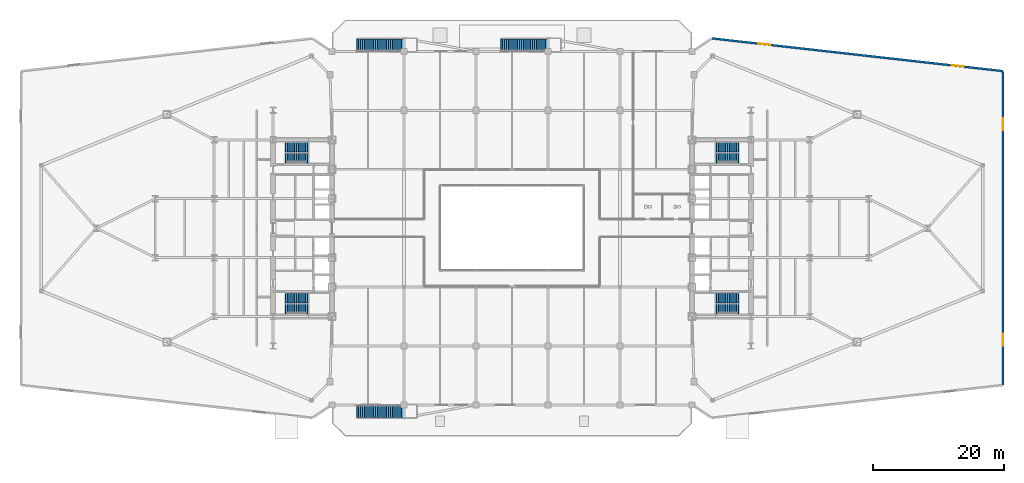
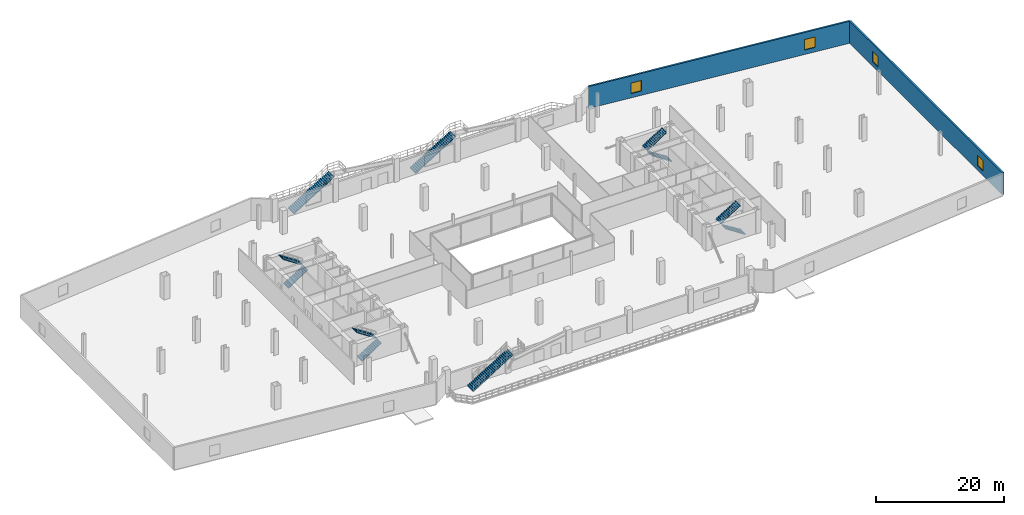
# One storey, part 20 of 25: 11 stair flights, 4 windows, 2 walls, 4 openings, 7 elements without a shape of their own.
"""IFC4 building model written with IfcOpenShell, lengths in metres."""

from ifc_helpers import new_model, si_unit, direction, frame, frame_2d, origin, place, context, subcontext, project, spatial, polyline, rectangle, outline, extrude, source, transform, mapped, material, layer, layer_set, type_object, type_shapes, element, fill, aggregate, save


model = new_model("IFC4")

# Units and contexts
model_context = context("Model", 3, precision=1e-05, world=origin(), true_north=direction((0.0, 1.0)))
body_context = subcontext(model_context, "Body", "Model", "MODEL_VIEW")
ifc_project = project(units=[si_unit("LENGTHUNIT", "METRE"), si_unit("AREAUNIT", "SQUARE_METRE"), si_unit("VOLUMEUNIT", "CUBIC_METRE"), si_unit("PLANEANGLEUNIT", "RADIAN"), si_unit("MASSUNIT", "GRAM", prefix="KILO")], contexts=[model_context])

# Site, building, storey
site_placement = place(None, origin())
site = spatial("IfcSite", under=ifc_project, at=site_placement, CompositionType="ELEMENT")
building_placement = place(site_placement, origin())
building = spatial("IfcBuilding", under=site, at=building_placement, Name="Seokmaru Belvedere", CompositionType="ELEMENT")
storey_placement = place(building_placement, frame((0.0, 0.0, 5.39990234375)))
storey = spatial("IfcBuildingStorey", under=building, at=storey_placement, Name="L01", CompositionType="ELEMENT", Elevation=5.39990234375)

# Wall, openings, windows
ifc_material_1 = material(Name="Concrete C40 (40 MPa)", Category="concrete")
ifc_layer = layer(ifc_material_1, 0.320068359375)
ifc_layer_set = layer_set([ifc_layer], Name="Concrete C40 (40 MPa)")
wall_type = type_object("IfcWallType", Name="Podium Terrace Insulated Wall 320", PredefinedType="SOLIDWALL", material=ifc_layer_set)
wall_1_placement = place(storey_placement, frame((75.0, -23.9599609375, 0.0), z_axis=(0.0, 0.0, 1.0), x_axis=(0.0, 1.0, 0.0)))
wall_1 = element("IfcWall", 1, at=wall_1_placement, inside=storey, type_object=wall_type, Name="L01 Exterior Podium Wall 06", PredefinedType="SOLIDWALL", context=body_context, shape_type="SweptSolid", body=[
    extrude(rectangle(XDim=47.919921875, YDim=0.320068359375, at=frame_2d((23.9599609375, 0.0))), origin(), (0.0, 0.0, 1.0), 4.22021484375),
])
opening_1_placement = place(wall_1_placement, frame((6.0, 0.0, 0.85009765625)))
opening_1 = element("IfcOpeningElement", 2, at=opening_1_placement, cuts=wall_1, Name="Opening WN2", PredefinedType="OPENING", context=body_context, shape_type="SweptSolid", body=[
    extrude(rectangle(XDim=1.800048828125, YDim=2.0, at=frame_2d((0.89990234375, 1.0))), frame((0.0, 0.169921875, 0.0), z_axis=(0.0, -1.0, 0.0), x_axis=(1.0, 0.0, 0.0)), (0.0, 0.0, 1.0), 0.340087890625),
])
opening_2_placement = place(wall_1_placement, frame((38.919921875, 0.0, 0.85009765625)))
opening_2 = element("IfcOpeningElement", 3, at=opening_2_placement, cuts=wall_1, Name="Opening WN2", PredefinedType="OPENING", context=body_context, shape_type="SweptSolid", body=[
    extrude(rectangle(XDim=1.800048828125, YDim=2.0, at=frame_2d((0.89990234375, 1.0))), frame((0.0, 0.169921875, 0.0), z_axis=(0.0, -1.0, 0.0), x_axis=(1.0, 0.0, 0.0)), (0.0, 0.0, 1.0), 0.340087890625),
])
ifc_material_2 = material(Name="Bronze Triple Insulating Glass", Category="glass")
window_type = type_object("IfcWindowType", Name="Podium Gallery Window 1800x2000", PartitioningType="SINGLE_PANEL", PredefinedType="WINDOW", material=ifc_material_2)
shared_shape = source(origin(), body_context, "Body", "SweptSolid", [
    extrude(rectangle(XDim=1.800048828125, YDim=2.0, at=frame_2d((0.89990234375, 1.0))), frame((0.0, 0.030029296875, 0.0), z_axis=(0.0, -1.0, 0.0), x_axis=(1.0, 0.0, 0.0)), (0.0, 0.0, 1.0), 0.06005859375),
])
type_shapes(window_type, [shared_shape])
window_1_placement = place(opening_1_placement, origin())
window_1 = element("IfcWindow", 4, at=window_1_placement, inside=storey, type_object=window_type, Name="L01 Podium Gallery Window 5-1", OverallHeight=2.0, OverallWidth=1.800048828125, PartitioningType="SINGLE_PANEL", PredefinedType="WINDOW", context=body_context, shape_type="MappedRepresentation", body=[
    mapped(shared_shape, transform((0.0, 0.0, 0.0), scale=1.0)),
])
fill(opening_1, window_1)
window_2_placement = place(opening_2_placement, origin())
window_2 = element("IfcWindow", 5, at=window_2_placement, inside=storey, type_object=window_type, Name="L01 Podium Gallery Window 5-2", OverallHeight=2.0, OverallWidth=1.800048828125, PartitioningType="SINGLE_PANEL", PredefinedType="WINDOW", context=body_context, shape_type="MappedRepresentation", body=[
    mapped(shared_shape, transform((0.0, 0.0, 0.0), scale=1.0)),
])
fill(opening_2, window_2)

wall_2_placement = place(storey_placement, frame((74.960205078125, 24.00439453125, 0.0), z_axis=(0.0, 0.0, 1.0), x_axis=(-0.993746430789, 0.111660338952, 0.0)))
wall_2 = element("IfcWall", 6, at=wall_2_placement, inside=storey, type_object=wall_type, Name="L01 Exterior Podium Wall 07", PredefinedType="SOLIDWALL", context=body_context, shape_type="SweptSolid", body=[
    extrude(rectangle(XDim=44.699951171875, YDim=0.320068359375, at=frame_2d((22.35009765625, 0.0))), origin(), (0.0, 0.0, 1.0), 4.22021484375),
])
opening_3_placement = place(wall_2_placement, frame((6.0, 0.0, 0.85009765625)))
opening_3 = element("IfcOpeningElement", 7, at=opening_3_placement, cuts=wall_2, Name="Opening WN2", PredefinedType="OPENING", context=body_context, shape_type="SweptSolid", body=[
    extrude(rectangle(XDim=1.800048828125, YDim=2.0, at=frame_2d((0.89990234375, 1.0))), frame((0.0, 0.169921875, 0.0), z_axis=(0.0, -1.0, 0.0), x_axis=(1.0, 0.0, 0.0)), (0.0, 0.0, 1.0), 0.340087890625),
])
opening_4_placement = place(wall_2_placement, frame((35.699951171875, 0.0, 0.85009765625)))
opening_4 = element("IfcOpeningElement", 8, at=opening_4_placement, cuts=wall_2, Name="Opening WN2", PredefinedType="OPENING", context=body_context, shape_type="SweptSolid", body=[
    extrude(rectangle(XDim=1.800048828125, YDim=2.0, at=frame_2d((0.89990234375, 1.0))), frame((0.0, 0.169921875, 0.0), z_axis=(0.0, -1.0, 0.0), x_axis=(1.0, 0.0, 0.0)), (0.0, 0.0, 1.0), 0.340087890625),
])
window_3_placement = place(opening_3_placement, origin())
window_3 = element("IfcWindow", 9, at=window_3_placement, inside=storey, type_object=window_type, Name="L01 Podium Gallery Window 6-1", OverallHeight=2.0, OverallWidth=1.800048828125, PartitioningType="SINGLE_PANEL", PredefinedType="WINDOW", context=body_context, shape_type="MappedRepresentation", body=[
    mapped(shared_shape, transform((0.0, 0.0, 0.0), scale=1.0)),
])
fill(opening_3, window_3)
window_4_placement = place(opening_4_placement, origin())
window_4 = element("IfcWindow", 10, at=window_4_placement, inside=storey, type_object=window_type, Name="L01 Podium Gallery Window 6-2", OverallHeight=2.0, OverallWidth=1.800048828125, PartitioningType="SINGLE_PANEL", PredefinedType="WINDOW", context=body_context, shape_type="MappedRepresentation", body=[
    mapped(shared_shape, transform((0.0, 0.0, 0.0), scale=1.0)),
])
fill(opening_4, window_4)

# Stair, stair flight
stair_type_1 = type_object("IfcStairType", Name="Cascading Garden Terrace Feature Straight Stair 1800", PredefinedType="STRAIGHT_RUN_STAIR", material=ifc_material_1)
stair_1_placement = place(storey_placement, origin())
stair_1 = element("IfcStair", 11, at=stair_1_placement, inside=storey, type_object=stair_type_1, Name="L01 Cascading Terrace Straight Stair N1", PredefinedType="STRAIGHT_RUN_STAIR")
stair_flight_type_1 = type_object("IfcStairFlightType", Name="Feature Architectural Stair Flight 1800", PredefinedType="STRAIGHT", material=ifc_material_1)
stair_flight_1_placement = place(storey_placement, frame((-23.699951171875, 28.02001953125, 0.0), z_axis=(0.0, 0.0, 1.0), x_axis=(1.0, 0.0, 0.0)))
stair_flight_1 = element("IfcStairFlight", 12, at=stair_flight_1_placement, type_object=stair_flight_type_1, Name="ST-T1 flight 1", NumberOfRisers=26, NumberOfTreads=25, PredefinedType="STRAIGHT", RiserHeight=0.173076923, TreadLength=0.285, context=body_context, shape_type="SweptSolid", body=[
    extrude(outline(polyline([(-0.080078125, 0.0), (0.0, 0.173095703125), (0.284912109375, 0.173095703125), (0.284912109375, 0.34619140625), (0.570068359375, 0.34619140625), (0.570068359375, 0.519287109375), (0.85498046875, 0.519287109375), (0.85498046875, 0.6923828125), (1.139892578125, 0.6923828125), (1.139892578125, 0.865478515625), (1.425048828125, 0.865478515625), (1.425048828125, 1.03857421875), (1.7099609375, 1.03857421875), (1.7099609375, 1.21142578125), (1.9951171875, 1.21142578125), (1.9951171875, 1.384521484375), (2.280029296875, 1.384521484375), (2.280029296875, 1.5576171875), (2.56494140625, 1.5576171875), (2.56494140625, 1.730712890625), (2.85009765625, 1.730712890625), (2.85009765625, 1.90380859375), (3.135009765625, 1.90380859375), (3.135009765625, 2.076904296875), (3.419921875, 2.076904296875), (3.419921875, 2.25), (3.705078125, 2.25), (3.705078125, 2.423095703125), (3.989990234375, 2.423095703125), (3.989990234375, 2.59619140625), (4.27490234375, 2.59619140625), (4.27490234375, 2.769287109375), (4.56005859375, 2.769287109375), (4.56005859375, 2.9423828125), (4.844970703125, 2.9423828125), (4.844970703125, 3.115478515625), (5.1298828125, 3.115478515625), (5.1298828125, 3.28857421875), (5.4150390625, 3.28857421875), (5.4150390625, 3.46142578125), (5.699951171875, 3.46142578125), (5.699951171875, 3.634521484375), (5.985107421875, 3.634521484375), (5.985107421875, 3.8076171875), (6.27001953125, 3.8076171875), (6.27001953125, 3.980712890625), (6.554931640625, 3.980712890625), (6.554931640625, 4.15380859375), (6.840087890625, 4.15380859375), (6.840087890625, 4.326904296875), (7.125, 4.326904296875), (7.125, 4.5), (7.205078125, 4.5), (7.205078125, 4.31005859375), (7.125, 4.31005859375), (0.0, -0.159912109375), (-0.080078125, -0.159912109375), (-0.080078125, 0.0)])), frame((0.0, 0.89990234375, 0.0), z_axis=(0.0, -1.0, 0.0), x_axis=(1.0, 0.0, 0.0)), (0.0, 0.0, 1.0), 1.800048828125),
])
aggregate(stair_1, [stair_flight_1])

stair_2_placement = place(storey_placement, origin())
stair_2 = element("IfcStair", 13, at=stair_2_placement, inside=storey, type_object=stair_type_1, Name="L01 Cascading Terrace Straight Stair N2", PredefinedType="STRAIGHT_RUN_STAIR")
stair_flight_2_placement = place(storey_placement, frame((-1.699951171875, 28.02001953125, 0.0), z_axis=(0.0, 0.0, 1.0), x_axis=(1.0, 0.0, 0.0)))
stair_flight_2 = element("IfcStairFlight", 14, at=stair_flight_2_placement, type_object=stair_flight_type_1, Name="ST-T2 flight 1", NumberOfRisers=26, NumberOfTreads=25, PredefinedType="STRAIGHT", RiserHeight=0.173076923, TreadLength=0.285, context=body_context, shape_type="SweptSolid", body=[
    extrude(outline(polyline([(-0.080078125, 0.0), (0.0, 0.173095703125), (0.284912109375, 0.173095703125), (0.284912109375, 0.34619140625), (0.570068359375, 0.34619140625), (0.570068359375, 0.519287109375), (0.85498046875, 0.519287109375), (0.85498046875, 0.6923828125), (1.139892578125, 0.6923828125), (1.139892578125, 0.865478515625), (1.425048828125, 0.865478515625), (1.425048828125, 1.03857421875), (1.7099609375, 1.03857421875), (1.7099609375, 1.21142578125), (1.9951171875, 1.21142578125), (1.9951171875, 1.384521484375), (2.280029296875, 1.384521484375), (2.280029296875, 1.5576171875), (2.56494140625, 1.5576171875), (2.56494140625, 1.730712890625), (2.85009765625, 1.730712890625), (2.85009765625, 1.90380859375), (3.135009765625, 1.90380859375), (3.135009765625, 2.076904296875), (3.419921875, 2.076904296875), (3.419921875, 2.25), (3.705078125, 2.25), (3.705078125, 2.423095703125), (3.989990234375, 2.423095703125), (3.989990234375, 2.59619140625), (4.27490234375, 2.59619140625), (4.27490234375, 2.769287109375), (4.56005859375, 2.769287109375), (4.56005859375, 2.9423828125), (4.844970703125, 2.9423828125), (4.844970703125, 3.115478515625), (5.1298828125, 3.115478515625), (5.1298828125, 3.28857421875), (5.4150390625, 3.28857421875), (5.4150390625, 3.46142578125), (5.699951171875, 3.46142578125), (5.699951171875, 3.634521484375), (5.985107421875, 3.634521484375), (5.985107421875, 3.8076171875), (6.27001953125, 3.8076171875), (6.27001953125, 3.980712890625), (6.554931640625, 3.980712890625), (6.554931640625, 4.15380859375), (6.840087890625, 4.15380859375), (6.840087890625, 4.326904296875), (7.125, 4.326904296875), (7.125, 4.5), (7.205078125, 4.5), (7.205078125, 4.31005859375), (7.125, 4.31005859375), (0.0, -0.159912109375), (-0.080078125, -0.159912109375), (-0.080078125, 0.0)])), frame((0.0, 0.89990234375, 0.0), z_axis=(0.0, -1.0, 0.0), x_axis=(1.0, 0.0, 0.0)), (0.0, 0.0, 1.0), 1.800048828125),
])
aggregate(stair_2, [stair_flight_2])

stair_3_placement = place(storey_placement, origin())
stair_3 = element("IfcStair", 15, at=stair_3_placement, inside=storey, type_object=stair_type_1, Name="L01 Cascading Terrace Straight Stair S1", PredefinedType="STRAIGHT_RUN_STAIR")
stair_flight_3_placement = place(storey_placement, frame((-23.699951171875, -28.02001953125, 0.0), z_axis=(0.0, 0.0, 1.0), x_axis=(1.0, 0.0, 0.0)))
stair_flight_3 = element("IfcStairFlight", 16, at=stair_flight_3_placement, type_object=stair_flight_type_1, Name="ST-T3 flight 1", NumberOfRisers=26, NumberOfTreads=25, PredefinedType="STRAIGHT", RiserHeight=0.173076923, TreadLength=0.285, context=body_context, shape_type="SweptSolid", body=[
    extrude(outline(polyline([(-0.080078125, 0.0), (0.0, 0.173095703125), (0.284912109375, 0.173095703125), (0.284912109375, 0.34619140625), (0.570068359375, 0.34619140625), (0.570068359375, 0.519287109375), (0.85498046875, 0.519287109375), (0.85498046875, 0.6923828125), (1.139892578125, 0.6923828125), (1.139892578125, 0.865478515625), (1.425048828125, 0.865478515625), (1.425048828125, 1.03857421875), (1.7099609375, 1.03857421875), (1.7099609375, 1.21142578125), (1.9951171875, 1.21142578125), (1.9951171875, 1.384521484375), (2.280029296875, 1.384521484375), (2.280029296875, 1.5576171875), (2.56494140625, 1.5576171875), (2.56494140625, 1.730712890625), (2.85009765625, 1.730712890625), (2.85009765625, 1.90380859375), (3.135009765625, 1.90380859375), (3.135009765625, 2.076904296875), (3.419921875, 2.076904296875), (3.419921875, 2.25), (3.705078125, 2.25), (3.705078125, 2.423095703125), (3.989990234375, 2.423095703125), (3.989990234375, 2.59619140625), (4.27490234375, 2.59619140625), (4.27490234375, 2.769287109375), (4.56005859375, 2.769287109375), (4.56005859375, 2.9423828125), (4.844970703125, 2.9423828125), (4.844970703125, 3.115478515625), (5.1298828125, 3.115478515625), (5.1298828125, 3.28857421875), (5.4150390625, 3.28857421875), (5.4150390625, 3.46142578125), (5.699951171875, 3.46142578125), (5.699951171875, 3.634521484375), (5.985107421875, 3.634521484375), (5.985107421875, 3.8076171875), (6.27001953125, 3.8076171875), (6.27001953125, 3.980712890625), (6.554931640625, 3.980712890625), (6.554931640625, 4.15380859375), (6.840087890625, 4.15380859375), (6.840087890625, 4.326904296875), (7.125, 4.326904296875), (7.125, 4.5), (7.205078125, 4.5), (7.205078125, 4.31005859375), (7.125, 4.31005859375), (0.0, -0.159912109375), (-0.080078125, -0.159912109375), (-0.080078125, 0.0)])), frame((0.0, 0.89990234375, 0.0), z_axis=(0.0, -1.0, 0.0), x_axis=(1.0, 0.0, 0.0)), (0.0, 0.0, 1.0), 1.800048828125),
])
aggregate(stair_3, [stair_flight_3])

# Stair, stair flights
stair_type_2 = type_object("IfcStairType", Name="Cascading Podium Core Dog-Leg Stair 4500", PredefinedType="TWO_STRAIGHT_RUN_STAIR", material=ifc_material_1)
stair_4_placement = place(storey_placement, origin())
stair_4 = element("IfcStair", 17, at=stair_4_placement, inside=storey, type_object=stair_type_2, Name="L01 Special Escape Stair ST-W1", PredefinedType="TWO_STRAIGHT_RUN_STAIR")
stair_flight_type_2 = type_object("IfcStairFlightType", Name="Reinforced Concrete Stair Flight 1500", PredefinedType="STRAIGHT", material=ifc_material_1)
stair_flight_4_placement = place(storey_placement, frame((-34.60009765625, -12.35009765625, 0.0), z_axis=(0.0, 0.0, 1.0), x_axis=(1.0, 0.0, 0.0)))
stair_flight_4 = element("IfcStairFlight", 18, at=stair_flight_4_placement, type_object=stair_flight_type_2, Name="ST-W1 flight 1", NumberOfRisers=13, NumberOfTreads=12, PredefinedType="STRAIGHT", RiserHeight=0.173076923, TreadLength=0.28, context=body_context, shape_type="SweptSolid", body=[
    extrude(outline(polyline([(-0.080078125, 0.0), (0.0, 0.173095703125), (0.280029296875, 0.173095703125), (0.280029296875, 0.34619140625), (0.56005859375, 0.34619140625), (0.56005859375, 0.519287109375), (0.840087890625, 0.519287109375), (0.840087890625, 0.6923828125), (1.1201171875, 0.6923828125), (1.1201171875, 0.865478515625), (1.39990234375, 0.865478515625), (1.39990234375, 1.03857421875), (1.679931640625, 1.03857421875), (1.679931640625, 1.21142578125), (1.9599609375, 1.21142578125), (1.9599609375, 1.384521484375), (2.239990234375, 1.384521484375), (2.239990234375, 1.5576171875), (2.52001953125, 1.5576171875), (2.52001953125, 1.730712890625), (2.800048828125, 1.730712890625), (2.800048828125, 1.90380859375), (3.080078125, 1.90380859375), (3.080078125, 2.076904296875), (3.360107421875, 2.076904296875), (3.360107421875, 2.25), (3.43994140625, 2.25), (3.43994140625, 2.06005859375), (3.360107421875, 2.06005859375), (0.0, -0.159912109375), (-0.080078125, -0.159912109375), (-0.080078125, 0.0)])), frame((0.0, 0.75, 0.0), z_axis=(0.0, -1.0, 0.0), x_axis=(1.0, 0.0, 0.0)), (0.0, 0.0, 1.0), 1.5),
])
stair_flight_5_placement = place(storey_placement, frame((-31.239990234375, -10.7099609375, 2.25), z_axis=(0.0, 0.0, 1.0), x_axis=(-1.0, 0.0, 0.0)))
stair_flight_5 = element("IfcStairFlight", 19, at=stair_flight_5_placement, type_object=stair_flight_type_2, Name="ST-W1 flight 2", NumberOfRisers=13, NumberOfTreads=12, PredefinedType="STRAIGHT", RiserHeight=0.173076923, TreadLength=0.28, context=body_context, shape_type="SweptSolid", body=[
    extrude(outline(polyline([(-0.080078125, 0.0), (0.0, 0.173095703125), (0.280029296875, 0.173095703125), (0.280029296875, 0.34619140625), (0.56005859375, 0.34619140625), (0.56005859375, 0.519287109375), (0.840087890625, 0.519287109375), (0.840087890625, 0.6923828125), (1.1201171875, 0.6923828125), (1.1201171875, 0.865478515625), (1.39990234375, 0.865478515625), (1.39990234375, 1.03857421875), (1.679931640625, 1.03857421875), (1.679931640625, 1.21142578125), (1.9599609375, 1.21142578125), (1.9599609375, 1.384521484375), (2.239990234375, 1.384521484375), (2.239990234375, 1.5576171875), (2.52001953125, 1.5576171875), (2.52001953125, 1.730712890625), (2.800048828125, 1.730712890625), (2.800048828125, 1.90380859375), (3.080078125, 1.90380859375), (3.080078125, 2.076904296875), (3.360107421875, 2.076904296875), (3.360107421875, 2.25), (3.43994140625, 2.25), (3.43994140625, 2.06005859375), (3.360107421875, 2.06005859375), (0.0, -0.159912109375), (-0.080078125, -0.159912109375), (-0.080078125, 0.0)])), frame((0.0, 0.75, 0.0), z_axis=(0.0, -1.0, 0.0), x_axis=(1.0, 0.0, 0.0)), (0.0, 0.0, 1.0), 1.5),
])
aggregate(stair_4, [stair_flight_4, stair_flight_5])

stair_5_placement = place(storey_placement, origin())
stair_5 = element("IfcStair", 20, at=stair_5_placement, inside=storey, type_object=stair_type_2, Name="L01 Special Escape Stair ST-W2", PredefinedType="TWO_STRAIGHT_RUN_STAIR")
stair_flight_6_placement = place(storey_placement, frame((-34.60009765625, 10.7099609375, 0.0), z_axis=(0.0, 0.0, 1.0), x_axis=(1.0, 0.0, 0.0)))
stair_flight_6 = element("IfcStairFlight", 21, at=stair_flight_6_placement, type_object=stair_flight_type_2, Name="ST-W2 flight 1", NumberOfRisers=13, NumberOfTreads=12, PredefinedType="STRAIGHT", RiserHeight=0.173076923, TreadLength=0.28, context=body_context, shape_type="SweptSolid", body=[
    extrude(outline(polyline([(-0.080078125, 0.0), (0.0, 0.173095703125), (0.280029296875, 0.173095703125), (0.280029296875, 0.34619140625), (0.56005859375, 0.34619140625), (0.56005859375, 0.519287109375), (0.840087890625, 0.519287109375), (0.840087890625, 0.6923828125), (1.1201171875, 0.6923828125), (1.1201171875, 0.865478515625), (1.39990234375, 0.865478515625), (1.39990234375, 1.03857421875), (1.679931640625, 1.03857421875), (1.679931640625, 1.21142578125), (1.9599609375, 1.21142578125), (1.9599609375, 1.384521484375), (2.239990234375, 1.384521484375), (2.239990234375, 1.5576171875), (2.52001953125, 1.5576171875), (2.52001953125, 1.730712890625), (2.800048828125, 1.730712890625), (2.800048828125, 1.90380859375), (3.080078125, 1.90380859375), (3.080078125, 2.076904296875), (3.360107421875, 2.076904296875), (3.360107421875, 2.25), (3.43994140625, 2.25), (3.43994140625, 2.06005859375), (3.360107421875, 2.06005859375), (0.0, -0.159912109375), (-0.080078125, -0.159912109375), (-0.080078125, 0.0)])), frame((0.0, 0.75, 0.0), z_axis=(0.0, -1.0, 0.0), x_axis=(1.0, 0.0, 0.0)), (0.0, 0.0, 1.0), 1.5),
])
stair_flight_7_placement = place(storey_placement, frame((-31.239990234375, 12.35009765625, 2.25), z_axis=(0.0, 0.0, 1.0), x_axis=(-1.0, 0.0, 0.0)))
stair_flight_7 = element("IfcStairFlight", 22, at=stair_flight_7_placement, type_object=stair_flight_type_2, Name="ST-W2 flight 2", NumberOfRisers=13, NumberOfTreads=12, PredefinedType="STRAIGHT", RiserHeight=0.173076923, TreadLength=0.28, context=body_context, shape_type="SweptSolid", body=[
    extrude(outline(polyline([(-0.080078125, 0.0), (0.0, 0.173095703125), (0.280029296875, 0.173095703125), (0.280029296875, 0.34619140625), (0.56005859375, 0.34619140625), (0.56005859375, 0.519287109375), (0.840087890625, 0.519287109375), (0.840087890625, 0.6923828125), (1.1201171875, 0.6923828125), (1.1201171875, 0.865478515625), (1.39990234375, 0.865478515625), (1.39990234375, 1.03857421875), (1.679931640625, 1.03857421875), (1.679931640625, 1.21142578125), (1.9599609375, 1.21142578125), (1.9599609375, 1.384521484375), (2.239990234375, 1.384521484375), (2.239990234375, 1.5576171875), (2.52001953125, 1.5576171875), (2.52001953125, 1.730712890625), (2.800048828125, 1.730712890625), (2.800048828125, 1.90380859375), (3.080078125, 1.90380859375), (3.080078125, 2.076904296875), (3.360107421875, 2.076904296875), (3.360107421875, 2.25), (3.43994140625, 2.25), (3.43994140625, 2.06005859375), (3.360107421875, 2.06005859375), (0.0, -0.159912109375), (-0.080078125, -0.159912109375), (-0.080078125, 0.0)])), frame((0.0, 0.75, 0.0), z_axis=(0.0, -1.0, 0.0), x_axis=(1.0, 0.0, 0.0)), (0.0, 0.0, 1.0), 1.5),
])
aggregate(stair_5, [stair_flight_6, stair_flight_7])

stair_6_placement = place(storey_placement, origin())
stair_6 = element("IfcStair", 23, at=stair_6_placement, inside=storey, type_object=stair_type_2, Name="L01 Special Escape Stair ST-E1", PredefinedType="TWO_STRAIGHT_RUN_STAIR")
stair_flight_8_placement = place(storey_placement, frame((34.60009765625, -12.35009765625, 0.0), z_axis=(0.0, 0.0, 1.0), x_axis=(-1.0, 0.0, 0.0)))
stair_flight_8 = element("IfcStairFlight", 24, at=stair_flight_8_placement, type_object=stair_flight_type_2, Name="ST-E1 flight 1", NumberOfRisers=13, NumberOfTreads=12, PredefinedType="STRAIGHT", RiserHeight=0.173076923, TreadLength=0.28, context=body_context, shape_type="SweptSolid", body=[
    extrude(outline(polyline([(-0.080078125, 0.0), (0.0, 0.173095703125), (0.280029296875, 0.173095703125), (0.280029296875, 0.34619140625), (0.56005859375, 0.34619140625), (0.56005859375, 0.519287109375), (0.840087890625, 0.519287109375), (0.840087890625, 0.6923828125), (1.1201171875, 0.6923828125), (1.1201171875, 0.865478515625), (1.39990234375, 0.865478515625), (1.39990234375, 1.03857421875), (1.679931640625, 1.03857421875), (1.679931640625, 1.21142578125), (1.9599609375, 1.21142578125), (1.9599609375, 1.384521484375), (2.239990234375, 1.384521484375), (2.239990234375, 1.5576171875), (2.52001953125, 1.5576171875), (2.52001953125, 1.730712890625), (2.800048828125, 1.730712890625), (2.800048828125, 1.90380859375), (3.080078125, 1.90380859375), (3.080078125, 2.076904296875), (3.360107421875, 2.076904296875), (3.360107421875, 2.25), (3.43994140625, 2.25), (3.43994140625, 2.06005859375), (3.360107421875, 2.06005859375), (0.0, -0.159912109375), (-0.080078125, -0.159912109375), (-0.080078125, 0.0)])), frame((0.0, 0.75, 0.0), z_axis=(0.0, -1.0, 0.0), x_axis=(1.0, 0.0, 0.0)), (0.0, 0.0, 1.0), 1.5),
])
stair_flight_9_placement = place(storey_placement, frame((31.239990234375, -10.7099609375, 2.25), z_axis=(0.0, 0.0, 1.0), x_axis=(1.0, 0.0, 0.0)))
stair_flight_9 = element("IfcStairFlight", 25, at=stair_flight_9_placement, type_object=stair_flight_type_2, Name="ST-E1 flight 2", NumberOfRisers=13, NumberOfTreads=12, PredefinedType="STRAIGHT", RiserHeight=0.173076923, TreadLength=0.28, context=body_context, shape_type="SweptSolid", body=[
    extrude(outline(polyline([(-0.080078125, 0.0), (0.0, 0.173095703125), (0.280029296875, 0.173095703125), (0.280029296875, 0.34619140625), (0.56005859375, 0.34619140625), (0.56005859375, 0.519287109375), (0.840087890625, 0.519287109375), (0.840087890625, 0.6923828125), (1.1201171875, 0.6923828125), (1.1201171875, 0.865478515625), (1.39990234375, 0.865478515625), (1.39990234375, 1.03857421875), (1.679931640625, 1.03857421875), (1.679931640625, 1.21142578125), (1.9599609375, 1.21142578125), (1.9599609375, 1.384521484375), (2.239990234375, 1.384521484375), (2.239990234375, 1.5576171875), (2.52001953125, 1.5576171875), (2.52001953125, 1.730712890625), (2.800048828125, 1.730712890625), (2.800048828125, 1.90380859375), (3.080078125, 1.90380859375), (3.080078125, 2.076904296875), (3.360107421875, 2.076904296875), (3.360107421875, 2.25), (3.43994140625, 2.25), (3.43994140625, 2.06005859375), (3.360107421875, 2.06005859375), (0.0, -0.159912109375), (-0.080078125, -0.159912109375), (-0.080078125, 0.0)])), frame((0.0, 0.75, 0.0), z_axis=(0.0, -1.0, 0.0), x_axis=(1.0, 0.0, 0.0)), (0.0, 0.0, 1.0), 1.5),
])
aggregate(stair_6, [stair_flight_8, stair_flight_9])

stair_7_placement = place(storey_placement, origin())
stair_7 = element("IfcStair", 26, at=stair_7_placement, inside=storey, type_object=stair_type_2, Name="L01 Special Escape Stair ST-E2", PredefinedType="TWO_STRAIGHT_RUN_STAIR")
stair_flight_10_placement = place(storey_placement, frame((34.60009765625, 10.7099609375, 0.0), z_axis=(0.0, 0.0, 1.0), x_axis=(-1.0, 0.0, 0.0)))
stair_flight_10 = element("IfcStairFlight", 27, at=stair_flight_10_placement, type_object=stair_flight_type_2, Name="ST-E2 flight 1", NumberOfRisers=13, NumberOfTreads=12, PredefinedType="STRAIGHT", RiserHeight=0.173076923, TreadLength=0.28, context=body_context, shape_type="SweptSolid", body=[
    extrude(outline(polyline([(-0.080078125, 0.0), (0.0, 0.173095703125), (0.280029296875, 0.173095703125), (0.280029296875, 0.34619140625), (0.56005859375, 0.34619140625), (0.56005859375, 0.519287109375), (0.840087890625, 0.519287109375), (0.840087890625, 0.6923828125), (1.1201171875, 0.6923828125), (1.1201171875, 0.865478515625), (1.39990234375, 0.865478515625), (1.39990234375, 1.03857421875), (1.679931640625, 1.03857421875), (1.679931640625, 1.21142578125), (1.9599609375, 1.21142578125), (1.9599609375, 1.384521484375), (2.239990234375, 1.384521484375), (2.239990234375, 1.5576171875), (2.52001953125, 1.5576171875), (2.52001953125, 1.730712890625), (2.800048828125, 1.730712890625), (2.800048828125, 1.90380859375), (3.080078125, 1.90380859375), (3.080078125, 2.076904296875), (3.360107421875, 2.076904296875), (3.360107421875, 2.25), (3.43994140625, 2.25), (3.43994140625, 2.06005859375), (3.360107421875, 2.06005859375), (0.0, -0.159912109375), (-0.080078125, -0.159912109375), (-0.080078125, 0.0)])), frame((0.0, 0.75, 0.0), z_axis=(0.0, -1.0, 0.0), x_axis=(1.0, 0.0, 0.0)), (0.0, 0.0, 1.0), 1.5),
])
stair_flight_11_placement = place(storey_placement, frame((31.239990234375, 12.35009765625, 2.25), z_axis=(0.0, 0.0, 1.0), x_axis=(1.0, 0.0, 0.0)))
stair_flight_11 = element("IfcStairFlight", 28, at=stair_flight_11_placement, type_object=stair_flight_type_2, Name="ST-E2 flight 2", NumberOfRisers=13, NumberOfTreads=12, PredefinedType="STRAIGHT", RiserHeight=0.173076923, TreadLength=0.28, context=body_context, shape_type="SweptSolid", body=[
    extrude(outline(polyline([(-0.080078125, 0.0), (0.0, 0.173095703125), (0.280029296875, 0.173095703125), (0.280029296875, 0.34619140625), (0.56005859375, 0.34619140625), (0.56005859375, 0.519287109375), (0.840087890625, 0.519287109375), (0.840087890625, 0.6923828125), (1.1201171875, 0.6923828125), (1.1201171875, 0.865478515625), (1.39990234375, 0.865478515625), (1.39990234375, 1.03857421875), (1.679931640625, 1.03857421875), (1.679931640625, 1.21142578125), (1.9599609375, 1.21142578125), (1.9599609375, 1.384521484375), (2.239990234375, 1.384521484375), (2.239990234375, 1.5576171875), (2.52001953125, 1.5576171875), (2.52001953125, 1.730712890625), (2.800048828125, 1.730712890625), (2.800048828125, 1.90380859375), (3.080078125, 1.90380859375), (3.080078125, 2.076904296875), (3.360107421875, 2.076904296875), (3.360107421875, 2.25), (3.43994140625, 2.25), (3.43994140625, 2.06005859375), (3.360107421875, 2.06005859375), (0.0, -0.159912109375), (-0.080078125, -0.159912109375), (-0.080078125, 0.0)])), frame((0.0, 0.75, 0.0), z_axis=(0.0, -1.0, 0.0), x_axis=(1.0, 0.0, 0.0)), (0.0, 0.0, 1.0), 1.5),
])
aggregate(stair_7, [stair_flight_10, stair_flight_11])

save(model, "model.ifc")
